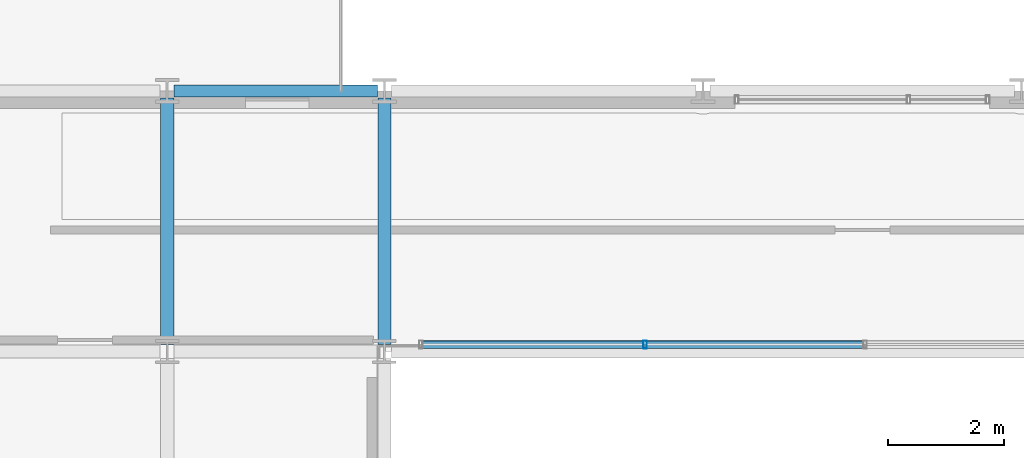
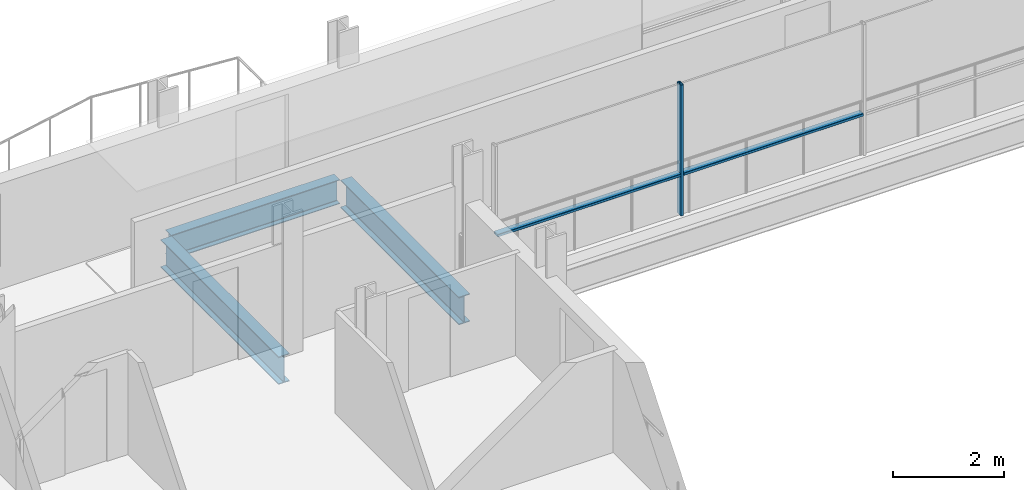
# One storey, part 9 of 38: 3 beams, 3 members, 1 element without a shape of its own.
"""IFC4 building model written with IfcOpenShell, lengths in metres."""

from ifc_helpers import new_model, si_unit, direction, frame, origin, origin_2d, place, context, subcontext, project, spatial, hollow_rectangle, i_section, extrude, material, layer, layer_set, material_profile, profile_set, type_object, element, aggregate, save


model = new_model("IFC4")

# Units and contexts
model_context = context("Model", 3, precision=1e-05, world=origin(), true_north=direction((0.0, 1.0)))
body_context = subcontext(model_context, "Body", "Model", "MODEL_VIEW")
ifc_project = project(units=[si_unit("LENGTHUNIT", "METRE"), si_unit("AREAUNIT", "SQUARE_METRE"), si_unit("VOLUMEUNIT", "CUBIC_METRE"), si_unit("PLANEANGLEUNIT", "RADIAN"), si_unit("MASSUNIT", "GRAM", prefix="KILO")], contexts=[model_context])

# Site, building, storey
site_placement = place(None, origin())
site = spatial("IfcSite", under=ifc_project, at=site_placement, CompositionType="ELEMENT")
building_placement = place(site_placement, origin())
building = spatial("IfcBuilding", under=site, at=building_placement, Name="Brevholm Reach", CompositionType="ELEMENT")
storey_placement = place(building_placement, frame((0.0, 0.0, 128.300048828125)))
storey = spatial("IfcBuildingStorey", under=building, at=storey_placement, Name="L38", CompositionType="ELEMENT", Elevation=128.300048828125)

# Beams
ifc_material_1 = material(Name="Structural Steel S355J2", Category="steel")
ifc_material_profile_1 = material_profile(ifc_material_1, i_section(OverallWidth=0.209228515625, OverallDepth=0.533203125, WebThickness=0.010009765625, FlangeThickness=0.015625, FilletRadius=0.0126953125, at=origin_2d()), Name="UKB 533x210x92")
ifc_profile_set_1 = profile_set([ifc_material_profile_1], Name="Structural Steel S355J2")
beam_type_1 = type_object("IfcBeamType", Name="BM-SP533", PredefinedType="SPANDREL", material=ifc_profile_set_1)
beam_placement = place(storey_placement, frame((18.1201171875, 31.0, -0.486572265625), z_axis=(1.0, 0.0, 0.0), x_axis=(0.0, 1.0, 0.0)))
element("IfcBeam", 1, at=beam_placement, inside=storey, type_object=beam_type_1, Name="L38 SP-02 Framing Beam", PredefinedType="SPANDREL", context=body_context, shape_type="SweptSolid", body=[
    extrude(i_section(OverallWidth=0.209228515625, OverallDepth=0.533203125, WebThickness=0.010009765625, FlangeThickness=0.015625, FilletRadius=0.0126953125, at=origin_2d()), origin(), (0.0, 0.0, 1.0), 3.509765625),
])
ifc_material_2 = material(Name="Structural Steel S355J2", Category="steel")
ifc_material_profile_2 = material_profile(ifc_material_2, i_section(OverallWidth=0.22900390625, OverallDepth=0.6123046875, WebThickness=0.011962890625, FlangeThickness=0.01953125, FilletRadius=0.0126953125, at=origin_2d()), Name="UKB 610x229x125")
ifc_profile_set_2 = profile_set([ifc_material_profile_2], Name="Structural Steel S355J2")
beam_type_2 = type_object("IfcBeamType", Name="BM-SP610", PredefinedType="SPANDREL", material=ifc_profile_set_2)
for number, where, z_axis, x_axis, name in (
    (2, (18.0, 26.6201171875, -0.526123046875), (0.0, 1.0, 0.0), (-1.0, 0.0, 0.0), "L38 SP-01 Framing Beam"),
    (3, (21.75, 26.6201171875, -0.526123046875), (0.0, 1.0, 0.0), (-1.0, 0.0, 0.0), "L38 SP-01 Framing Beam"),
):
    element("IfcBeam", number, at=place(storey_placement, frame(where, z_axis=z_axis, x_axis=x_axis)), inside=storey, type_object=beam_type_2, Name=name, PredefinedType="SPANDREL", context=body_context, shape_type="SweptSolid", body=[
        extrude(i_section(OverallWidth=0.22900390625, OverallDepth=0.6123046875, WebThickness=0.011962890625, FlangeThickness=0.01953125, FilletRadius=0.0126953125, at=origin_2d()), origin(), (0.0, 0.0, 1.0), 4.259765625),
    ])

# Curtain wall, members
ifc_material_3 = material(Name="Dark Anodised Aluminium 6063-T6 and Solar-Control Glass", Category="aluminium")
ifc_layer = layer(ifc_material_3, 0.139892578125)
ifc_layer_set = layer_set([ifc_layer], Name="Dark Anodised Aluminium 6063-T6 and Solar-Control Glass")
curtain_wall_type = type_object("IfcCurtainWallType", Name="CW-02", PredefinedType="NOTDEFINED", material=ifc_layer_set)
curtain_wall_placement = place(storey_placement, origin())
curtain_wall = element("IfcCurtainWall", 4, at=curtain_wall_placement, inside=storey, type_object=curtain_wall_type, Name="L38 Curtain Wall CW-02", PredefinedType="NOTDEFINED")
ifc_material_4 = material(Name="Dark Anodised Aluminium 6063-T6", Category="aluminium")
ifc_material_profile_3 = material_profile(ifc_material_4, hollow_rectangle(XDim=0.06005859375, YDim=0.139892578125, WallThickness=0.0048828125, InnerFilletRadius=0.0048828125, OuterFilletRadius=0.010009765625, at=origin_2d()), Name="RHS 140x60x5")
ifc_profile_set_3 = profile_set([ifc_material_profile_3], Name="Dark Anodised Aluminium 6063-T6")
member_type_1 = type_object("IfcMemberType", Name="CWM-140", PredefinedType="MULLION", material=ifc_profile_set_3)
member_1_placement = place(storey_placement, frame((26.25, 26.6201171875, 0.0), z_axis=(0.0, 0.0, 1.0), x_axis=(-1.0, 0.0, 0.0)))
member_1 = element("IfcMember", 5, at=member_1_placement, type_object=member_type_1, Name="CM-140 Mullion 4", PredefinedType="MULLION", context=body_context, shape_type="SweptSolid", body=[
    extrude(hollow_rectangle(XDim=0.06005859375, YDim=0.139892578125, WallThickness=0.0048828125, InnerFilletRadius=0.0048828125, OuterFilletRadius=0.010009765625, at=origin_2d()), origin(), (0.0, 0.0, 1.0), 2.8798828125),
])
ifc_material_5 = material(Name="Dark Anodised Aluminium 6063-T6", Category="aluminium")
ifc_material_profile_4 = material_profile(ifc_material_5, hollow_rectangle(XDim=0.06005859375, YDim=0.139892578125, WallThickness=0.0048828125, InnerFilletRadius=0.0048828125, OuterFilletRadius=0.010009765625, at=origin_2d()), Name="RHS 140x60x5")
ifc_profile_set_4 = profile_set([ifc_material_profile_4], Name="Dark Anodised Aluminium 6063-T6")
member_type_2 = type_object("IfcMemberType", Name="CWT-140", PredefinedType="NOTDEFINED", material=ifc_profile_set_4)
member_2_placement = place(storey_placement, frame((30.02001953125, 26.6201171875, 0.89990234375), z_axis=(-1.0, 0.0, 0.0), x_axis=(0.0, 0.0, 1.0)))
member_2 = element("IfcMember", 6, at=member_2_placement, type_object=member_type_2, Name="CT-140 Transom 3.1", ObjectType="TRANSOM", PredefinedType="USERDEFINED", context=body_context, shape_type="SweptSolid", body=[
    extrude(hollow_rectangle(XDim=0.06005859375, YDim=0.139892578125, WallThickness=0.0048828125, InnerFilletRadius=0.0048828125, OuterFilletRadius=0.010009765625, at=origin_2d()), origin(), (0.0, 0.0, 1.0), 3.739990234375),
])
member_3_placement = place(storey_placement, frame((26.219970703125, 26.6201171875, 0.89990234375), z_axis=(-1.0, 0.0, 0.0), x_axis=(0.0, 0.0, 1.0)))
member_3 = element("IfcMember", 7, at=member_3_placement, type_object=member_type_2, Name="CT-140 Transom 4.1", ObjectType="TRANSOM", PredefinedType="USERDEFINED", context=body_context, shape_type="SweptSolid", body=[
    extrude(hollow_rectangle(XDim=0.06005859375, YDim=0.139892578125, WallThickness=0.0048828125, InnerFilletRadius=0.0048828125, OuterFilletRadius=0.010009765625, at=origin_2d()), origin(), (0.0, 0.0, 1.0), 3.81005859375),
])
aggregate(curtain_wall, [member_1, member_2, member_3])

save(model, "model.ifc")
